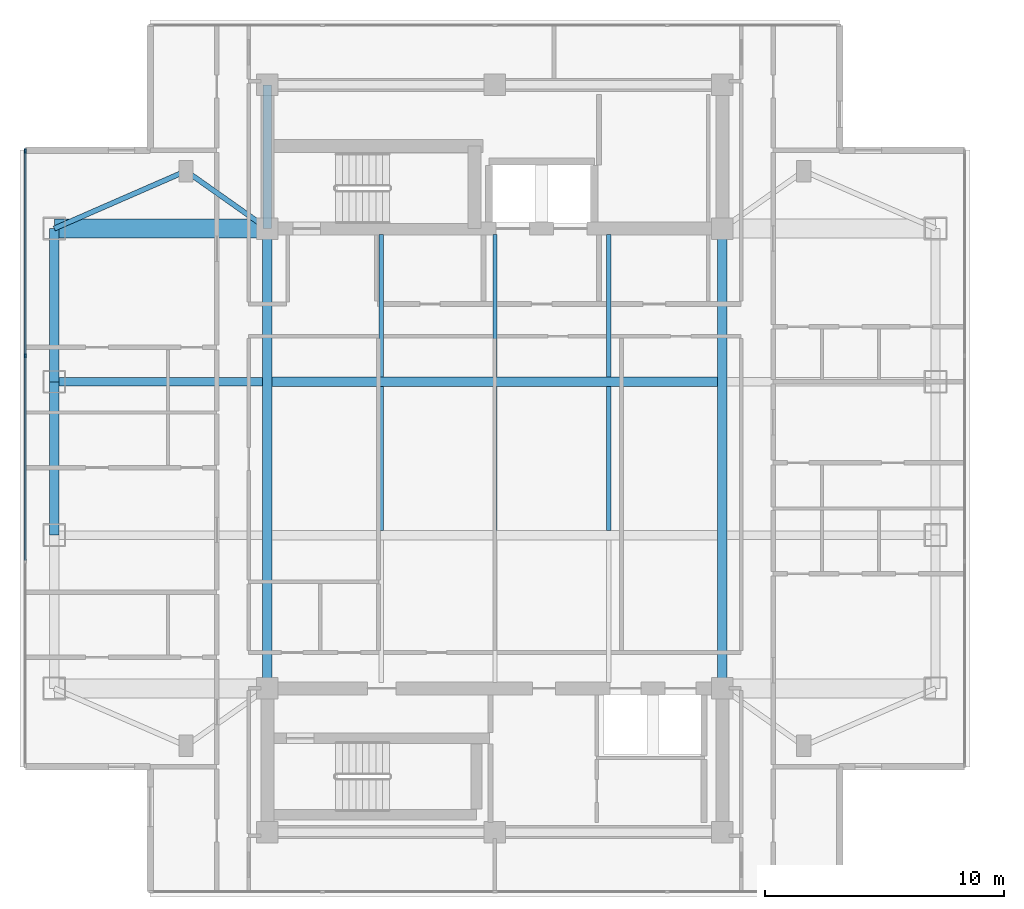
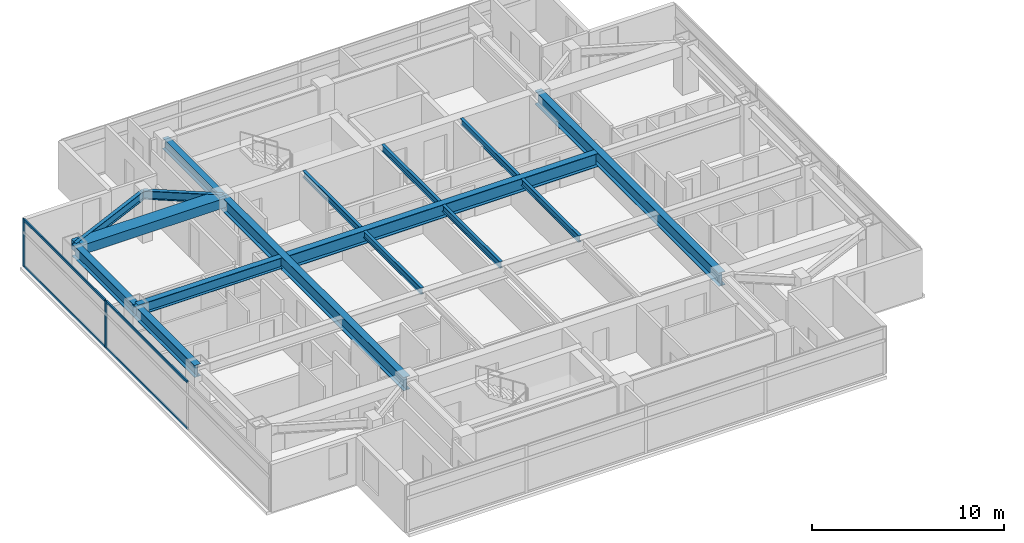
# One storey, part 3 of 24: 16 beams, 6 members, 1 element without a shape of its own.
"""IFC4 building model written with IfcOpenShell, lengths in metres."""

from ifc_helpers import new_model, si_unit, direction, frame, origin, origin_2d, place, context, subcontext, project, spatial, rectangle, i_section, extrude, material, material_profile, profile_set, type_object, element, aggregate, save


model = new_model("IFC4")

# Units and contexts
model_context = context("Model", 3, precision=1e-05, world=origin(), true_north=direction((0.0, 1.0)))
body_context = subcontext(model_context, "Body", "Model", "MODEL_VIEW")
ifc_project = project(units=[si_unit("LENGTHUNIT", "METRE"), si_unit("AREAUNIT", "SQUARE_METRE"), si_unit("VOLUMEUNIT", "CUBIC_METRE"), si_unit("PLANEANGLEUNIT", "RADIAN"), si_unit("MASSUNIT", "GRAM", prefix="KILO")], contexts=[model_context])

# Site, building, storey
site_placement = place(None, origin())
site = spatial("IfcSite", under=ifc_project, at=site_placement, CompositionType="ELEMENT")
building_placement = place(site_placement, origin())
building = spatial("IfcBuilding", under=site, at=building_placement, Name="Mirazonda Arch Towers", CompositionType="ELEMENT")
storey_placement = place(building_placement, frame((0.0, 0.0, 186.89990234375)))
storey = spatial("IfcBuildingStorey", under=building, at=storey_placement, Name="L53", CompositionType="ELEMENT", Elevation=186.89990234375)

# Beams
ifc_material_1 = material(Name="Steel ASTM A992 Grade 50", Category="steel")
ifc_material_profile_1 = material_profile(ifc_material_1, i_section(OverallWidth=0.381103515625, OverallDepth=0.77294921875, WebThickness=0.0166015625, FlangeThickness=0.027099609375, at=origin_2d()), Name="W30X173")
ifc_profile_set_1 = profile_set([ifc_material_profile_1], Name="Steel ASTM A992 Grade 50")
beam_type_1 = type_object("IfcBeamType", Name="BM-EXT-W30X173", PredefinedType="USERDEFINED", material=ifc_profile_set_1)
beam_1_placement = place(storey_placement, frame((2.10009765625, 24.800048828125, 2.66357421875), z_axis=(0.0, 1.0, 0.0), x_axis=(-1.0, 0.0, 0.0)))
element("IfcBeam", 1, at=beam_1_placement, inside=storey, type_object=beam_type_1, Name="L53 Floor Beam BM-T1-L53-NS-W-24", ObjectType="GIRDER", PredefinedType="USERDEFINED", context=body_context, shape_type="SweptSolid", body=[
    extrude(i_section(OverallWidth=0.381103515625, OverallDepth=0.77294921875, WebThickness=0.0166015625, FlangeThickness=0.027099609375, at=origin_2d()), origin(), (0.0, 0.0, 1.0), 6.39990234375),
])
beam_2_placement = place(storey_placement, frame((2.10009765625, 31.199951171875, 2.66357421875), z_axis=(0.0, 1.0, 0.0), x_axis=(-1.0, 0.0, 0.0)))
element("IfcBeam", 2, at=beam_2_placement, inside=storey, type_object=beam_type_1, Name="L53 Floor Beam BM-T1-L53-NS-W-31", ObjectType="GIRDER", PredefinedType="USERDEFINED", context=body_context, shape_type="SweptSolid", body=[
    extrude(i_section(OverallWidth=0.381103515625, OverallDepth=0.77294921875, WebThickness=0.0166015625, FlangeThickness=0.027099609375, at=origin_2d()), origin(), (0.0, 0.0, 1.0), 6.400146484375),
])
ifc_material_profile_2 = material_profile(ifc_material_1, i_section(OverallWidth=0.180908203125, OverallDepth=0.4169921875, WebThickness=0.010986328125, FlangeThickness=0.018310546875, at=origin_2d()), Name="W16X57")
ifc_profile_set_2 = profile_set([ifc_material_profile_2], Name="Steel ASTM A992 Grade 50")
beam_type_2 = type_object("IfcBeamType", Name="BM-INT-W16X57", PredefinedType="JOIST", material=ifc_profile_set_2)
beam_3_placement = place(storey_placement, frame((15.75, 31.39599609375, 2.841552734375), z_axis=(0.0, 1.0, 0.0), x_axis=(-1.0, 0.0, 0.0)))
element("IfcBeam", 3, at=beam_3_placement, inside=storey, type_object=beam_type_2, Name="L53 Floor Beam BM-T1-L53-J-157-31", PredefinedType="JOIST", context=body_context, shape_type="SweptSolid", body=[
    extrude(i_section(OverallWidth=0.180908203125, OverallDepth=0.4169921875, WebThickness=0.010986328125, FlangeThickness=0.018310546875, at=origin_2d()), origin(), (0.0, 0.0, 1.0), 5.964111328125),
])
beam_4_placement = place(storey_placement, frame((15.75, 24.99609375, 2.841552734375), z_axis=(0.0, 1.0, 0.0), x_axis=(-1.0, 0.0, 0.0)))
element("IfcBeam", 4, at=beam_4_placement, inside=storey, type_object=beam_type_2, Name="L53 Floor Beam BM-T1-L53-J-157-24", PredefinedType="JOIST", context=body_context, shape_type="SweptSolid", body=[
    extrude(i_section(OverallWidth=0.180908203125, OverallDepth=0.4169921875, WebThickness=0.010986328125, FlangeThickness=0.018310546875, at=origin_2d()), origin(), (0.0, 0.0, 1.0), 6.0078125),
])
beam_5_placement = place(storey_placement, frame((20.5, 31.39599609375, 2.841552734375), z_axis=(0.0, 1.0, 0.0), x_axis=(-1.0, 0.0, 0.0)))
element("IfcBeam", 5, at=beam_5_placement, inside=storey, type_object=beam_type_2, Name="L53 Floor Beam BM-T1-L53-J-205-31", PredefinedType="JOIST", context=body_context, shape_type="SweptSolid", body=[
    extrude(i_section(OverallWidth=0.180908203125, OverallDepth=0.4169921875, WebThickness=0.010986328125, FlangeThickness=0.018310546875, at=origin_2d()), origin(), (0.0, 0.0, 1.0), 5.964111328125),
])
beam_6_placement = place(storey_placement, frame((20.5, 24.99609375, 2.841552734375), z_axis=(0.0, 1.0, 0.0), x_axis=(-1.0, 0.0, 0.0)))
element("IfcBeam", 6, at=beam_6_placement, inside=storey, type_object=beam_type_2, Name="L53 Floor Beam BM-T1-L53-J-205-24", PredefinedType="JOIST", context=body_context, shape_type="SweptSolid", body=[
    extrude(i_section(OverallWidth=0.180908203125, OverallDepth=0.4169921875, WebThickness=0.010986328125, FlangeThickness=0.018310546875, at=origin_2d()), origin(), (0.0, 0.0, 1.0), 6.0078125),
])
beam_7_placement = place(storey_placement, frame((25.25, 31.39599609375, 2.841552734375), z_axis=(0.0, 1.0, 0.0), x_axis=(-1.0, 0.0, 0.0)))
element("IfcBeam", 7, at=beam_7_placement, inside=storey, type_object=beam_type_2, Name="L53 Floor Beam BM-T1-L53-J-252-31", PredefinedType="JOIST", context=body_context, shape_type="SweptSolid", body=[
    extrude(i_section(OverallWidth=0.180908203125, OverallDepth=0.4169921875, WebThickness=0.010986328125, FlangeThickness=0.018310546875, at=origin_2d()), origin(), (0.0, 0.0, 1.0), 5.964111328125),
])
beam_8_placement = place(storey_placement, frame((25.25, 24.99609375, 2.841552734375), z_axis=(0.0, 1.0, 0.0), x_axis=(-1.0, 0.0, 0.0)))
element("IfcBeam", 8, at=beam_8_placement, inside=storey, type_object=beam_type_2, Name="L53 Floor Beam BM-T1-L53-J-252-24", PredefinedType="JOIST", context=body_context, shape_type="SweptSolid", body=[
    extrude(i_section(OverallWidth=0.180908203125, OverallDepth=0.4169921875, WebThickness=0.010986328125, FlangeThickness=0.018310546875, at=origin_2d()), origin(), (0.0, 0.0, 1.0), 6.0078125),
])
ifc_material_profile_3 = material_profile(ifc_material_1, i_section(OverallWidth=0.214111328125, OverallDepth=0.549072265625, WebThickness=0.0146484375, FlangeThickness=0.023681640625, at=origin_2d()), Name="W21X93")
ifc_profile_set_3 = profile_set([ifc_material_profile_3], Name="Steel ASTM A992 Grade 50")
beam_type_3 = type_object("IfcBeamType", Name="BM-INT-W21X93", PredefinedType="BEAM", material=ifc_profile_set_3)
beam_9_placement = place(storey_placement, frame((7.60009765625, 40.0, 2.775634765625), z_axis=(0.816971114901, -0.576678591087, 0.0), x_axis=(0.576678591087, 0.816971114901, 0.0)))
element("IfcBeam", 9, at=beam_9_placement, inside=storey, type_object=beam_type_3, Name="L53 Floor Beam BM-T1-L53-PL-NW1", PredefinedType="BEAM", context=body_context, shape_type="SweptSolid", body=[
    extrude(i_section(OverallWidth=0.214111328125, OverallDepth=0.549072265625, WebThickness=0.0146484375, FlangeThickness=0.023681640625, at=origin_2d()), origin(), (0.0, 0.0, 1.0), 4.16162109375),
])
beam_10_placement = place(storey_placement, frame((7.60009765625, 40.0, 2.775634765625), z_axis=(-0.916545343703, -0.399930785183, 0.0), x_axis=(0.399930785183, -0.916545343703, 0.0)))
element("IfcBeam", 10, at=beam_10_placement, inside=storey, type_object=beam_type_3, Name="L53 Floor Beam BM-T1-L53-PL-NW2", PredefinedType="BEAM", context=body_context, shape_type="SweptSolid", body=[
    extrude(i_section(OverallWidth=0.214111328125, OverallDepth=0.549072265625, WebThickness=0.0146484375, FlangeThickness=0.023681640625, at=origin_2d()), origin(), (0.0, 0.0, 1.0), 6.000732421875),
])
ifc_material_profile_4 = material_profile(ifc_material_1, i_section(OverallWidth=0.35498046875, OverallDepth=0.696044921875, WebThickness=0.015380859375, FlangeThickness=0.02490234375, at=origin_2d()), Name="W27X146")
ifc_profile_set_4 = profile_set([ifc_material_profile_4], Name="Steel ASTM A992 Grade 50")
beam_type_4 = type_object("IfcBeamType", Name="BM-INT-W27X146", PredefinedType="BEAM", material=ifc_profile_set_4)
beam_11_placement = place(storey_placement, frame((2.10009765625, 31.199951171875, 2.7021484375), z_axis=(1.0, 0.0, 0.0), x_axis=(0.0, 1.0, 0.0)))
element("IfcBeam", 11, at=beam_11_placement, inside=storey, type_object=beam_type_4, Name="L53 Floor Beam BM-T1-L53-GW3", PredefinedType="BEAM", context=body_context, shape_type="SweptSolid", body=[
    extrude(i_section(OverallWidth=0.35498046875, OverallDepth=0.696044921875, WebThickness=0.015380859375, FlangeThickness=0.02490234375, at=origin_2d()), origin(), (0.0, 0.0, 1.0), 8.699951171875),
])
beam_12_placement = place(storey_placement, frame((11.0, 37.60009765625, 2.7021484375), z_axis=(0.0, 1.0, 0.0), x_axis=(-1.0, 0.0, 0.0)))
element("IfcBeam", 12, at=beam_12_placement, inside=storey, type_object=beam_type_4, Name="L53 Floor Beam BM-T1-L53-CNW", PredefinedType="BEAM", context=body_context, shape_type="SweptSolid", body=[
    extrude(i_section(OverallWidth=0.35498046875, OverallDepth=0.696044921875, WebThickness=0.015380859375, FlangeThickness=0.02490234375, at=origin_2d()), origin(), (0.0, 0.0, 1.0), 6.0),
])
ifc_material_profile_5 = material_profile(ifc_material_1, i_section(OverallWidth=0.39990234375, OverallDepth=0.85595703125, WebThickness=0.018310546875, FlangeThickness=0.029296875, at=origin_2d()), Name="W33X201")
ifc_profile_set_5 = profile_set([ifc_material_profile_5], Name="Steel ASTM A992 Grade 50")
beam_type_5 = type_object("IfcBeamType", Name="BM-INT-W33X201", PredefinedType="USERDEFINED", material=ifc_profile_set_5)
beam_13_placement = place(storey_placement, frame((11.199951171875, 31.199951171875, 2.6220703125), z_axis=(1.0, 0.0, 0.0), x_axis=(0.0, 1.0, 0.0)))
element("IfcBeam", 13, at=beam_13_placement, inside=storey, type_object=beam_type_5, Name="L53 Floor Beam BM-T1-L53-GC3", ObjectType="GIRDER", PredefinedType="USERDEFINED", context=body_context, shape_type="SweptSolid", body=[
    extrude(i_section(OverallWidth=0.39990234375, OverallDepth=0.85595703125, WebThickness=0.018310546875, FlangeThickness=0.029296875, at=origin_2d()), origin(), (0.0, 0.0, 1.0), 18.60009765625),
])
for number, where, z_axis, x_axis, name in (
    (14, (11.0, 18.39990234375, 2.6220703125), (0.0, 1.0, 0.0), (-1.0, 0.0, 0.0), "L53 Floor Beam BM-T1-L53-NS-CW-FULL"),
    (15, (30.0, 18.39990234375, 2.6220703125), (0.0, 1.0, 0.0), (-1.0, 0.0, 0.0), "L53 Floor Beam BM-T1-L53-NS-CE-FULL"),
):
    element("IfcBeam", number, at=place(storey_placement, frame(where, z_axis=z_axis, x_axis=x_axis)), inside=storey, type_object=beam_type_5, Name=name, ObjectType="GIRDER", PredefinedType="USERDEFINED", context=body_context, shape_type="SweptSolid", body=[
        extrude(i_section(OverallWidth=0.39990234375, OverallDepth=0.85595703125, WebThickness=0.018310546875, FlangeThickness=0.029296875, at=origin_2d()), origin(), (0.0, 0.0, 1.0), 19.2001953125),
    ])
ifc_material_2 = material(Name="Concrete C60/75", Category="concrete")
ifc_material_profile_6 = material_profile(ifc_material_2, rectangle(XDim=0.800048828125, YDim=0.60009765625, at=origin_2d()), Name="RCCB800x600")
ifc_profile_set_6 = profile_set([ifc_material_profile_6], Name="Concrete C60/75")
beam_type_6 = type_object("IfcBeamType", Name="CB-INT-RCCB800x600", PredefinedType="SPANDREL", material=ifc_profile_set_6)
beam_14_placement = place(storey_placement, frame((2.10009765625, 37.60009765625, 2.75), z_axis=(1.0, 0.0, 0.0), x_axis=(0.0, 1.0, 0.0)))
element("IfcBeam", 16, at=beam_14_placement, inside=storey, type_object=beam_type_6, Name="L53 Floor Beam CBC-T1-L53-NW", PredefinedType="SPANDREL", context=body_context, shape_type="SweptSolid", body=[
    extrude(rectangle(XDim=0.800048828125, YDim=0.60009765625, at=origin_2d()), origin(), (0.0, 0.0, 1.0), 8.89990234375),
])

# Curtain wall, members
ifc_material_3 = material(Name="Anodised Aluminium and Low-E Glass", Category="aluminium")
curtain_wall_type = type_object("IfcCurtainWallType", Name="CW-RES-UNIT", PredefinedType="NOTDEFINED", material=ifc_material_3)
curtain_wall_placement = place(storey_placement, origin())
curtain_wall = element("IfcCurtainWall", 17, at=curtain_wall_placement, inside=storey, type_object=curtain_wall_type, Name="L53 T1 W Facade CW-L53-T1-W", PredefinedType="NOTDEFINED")
ifc_material_4 = material(Name="Anodised Aluminium Alloy", Category="aluminium")
ifc_material_profile_7 = material_profile(ifc_material_4, rectangle(XDim=0.074951171875, YDim=0.175048828125, at=origin_2d()), Name="ALU-MULL-75x175")
ifc_profile_set_7 = profile_set([ifc_material_profile_7], Name="Anodised Aluminium Alloy")
member_type_1 = type_object("IfcMemberType", Name="MULL-CW-RES-UNIT", PredefinedType="MULLION", material=ifc_profile_set_7)
member_1_placement = place(storey_placement, frame((0.889892578125, 40.83544921875, 0.0), z_axis=(0.0, 0.0, 1.0), x_axis=(1.0, 0.0, 0.0)))
member_1 = element("IfcMember", 18, at=member_1_placement, type_object=member_type_1, Name="CW-104 mullion 1", PredefinedType="MULLION", context=body_context, shape_type="SweptSolid", body=[
    extrude(rectangle(XDim=0.074951171875, YDim=0.175048828125, at=origin_2d()), origin(), (0.0, 0.0, 1.0), 3.030029296875),
])
member_2_placement = place(storey_placement, frame((0.889892578125, 32.291015625, 0.0), z_axis=(0.0, 0.0, 1.0), x_axis=(1.0, 0.0, 0.0)))
member_2 = element("IfcMember", 19, at=member_2_placement, type_object=member_type_1, Name="CW-104 mullion 2", PredefinedType="MULLION", context=body_context, shape_type="SweptSolid", body=[
    extrude(rectangle(XDim=0.074951171875, YDim=0.175048828125, at=origin_2d()), origin(), (0.0, 0.0, 1.0), 3.030029296875),
])
ifc_material_profile_8 = material_profile(ifc_material_4, rectangle(XDim=0.074951171875, YDim=0.155029296875, at=origin_2d()), Name="ALU-TRAN-75x155")
ifc_profile_set_8 = profile_set([ifc_material_profile_8], Name="Anodised Aluminium Alloy")
member_type_2 = type_object("IfcMemberType", Name="TRAN-CW-RES-UNIT", PredefinedType="USERDEFINED", material=ifc_profile_set_8)
member_3_placement = place(storey_placement, frame((0.889892578125, 40.798095703125, 0.03759765625), z_axis=(0.0, -1.0, 0.0), x_axis=(1.0, 0.0, 0.0)))
member_3 = element("IfcMember", 20, at=member_3_placement, type_object=member_type_2, Name="CW-104 transom 1.1", ObjectType="TRANSOM", PredefinedType="USERDEFINED", context=body_context, shape_type="SweptSolid", body=[
    extrude(rectangle(XDim=0.074951171875, YDim=0.155029296875, at=origin_2d()), origin(), (0.0, 0.0, 1.0), 8.469482421875),
])
member_4_placement = place(storey_placement, frame((0.889892578125, 40.798095703125, 2.99267578125), z_axis=(0.0, -1.0, 0.0), x_axis=(1.0, 0.0, 0.0)))
member_4 = element("IfcMember", 21, at=member_4_placement, type_object=member_type_2, Name="CW-104 transom 1.2", ObjectType="TRANSOM", PredefinedType="USERDEFINED", context=body_context, shape_type="SweptSolid", body=[
    extrude(rectangle(XDim=0.074951171875, YDim=0.155029296875, at=origin_2d()), origin(), (0.0, 0.0, 1.0), 8.469482421875),
])
member_5_placement = place(storey_placement, frame((0.889892578125, 32.25341796875, 0.03759765625), z_axis=(0.0, -1.0, 0.0), x_axis=(1.0, 0.0, 0.0)))
member_5 = element("IfcMember", 22, at=member_5_placement, type_object=member_type_2, Name="CW-104 transom 2.1", ObjectType="TRANSOM", PredefinedType="USERDEFINED", context=body_context, shape_type="SweptSolid", body=[
    extrude(rectangle(XDim=0.074951171875, YDim=0.155029296875, at=origin_2d()), origin(), (0.0, 0.0, 1.0), 8.5068359375),
])
member_6_placement = place(storey_placement, frame((0.889892578125, 32.25341796875, 2.99267578125), z_axis=(0.0, -1.0, 0.0), x_axis=(1.0, 0.0, 0.0)))
member_6 = element("IfcMember", 23, at=member_6_placement, type_object=member_type_2, Name="CW-104 transom 2.2", ObjectType="TRANSOM", PredefinedType="USERDEFINED", context=body_context, shape_type="SweptSolid", body=[
    extrude(rectangle(XDim=0.074951171875, YDim=0.155029296875, at=origin_2d()), origin(), (0.0, 0.0, 1.0), 8.5068359375),
])
aggregate(curtain_wall, [member_1, member_2, member_3, member_4, member_5, member_6])

save(model, "model.ifc")
